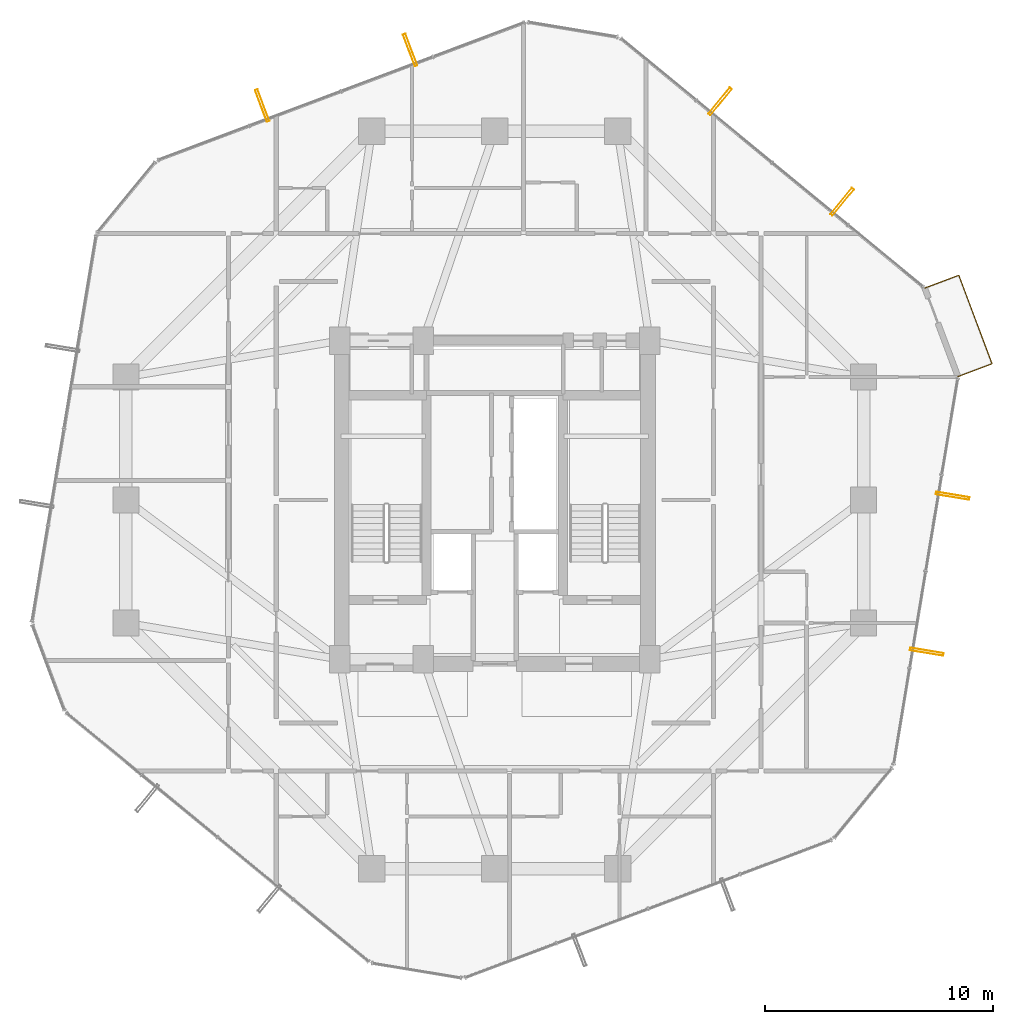
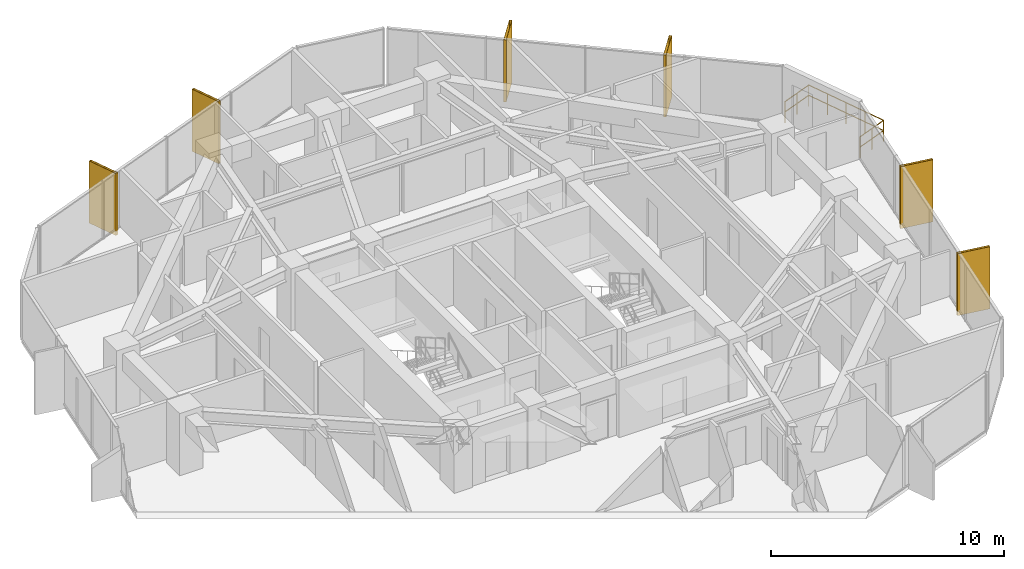
# One storey, part 30 of 30: 6 shading devices, 1 railing.
"""IFC4 building model written with IfcOpenShell, lengths in metres."""

from ifc_helpers import new_model, si_unit, direction, frame, origin, origin_2d, place, context, subcontext, project, spatial, hollow_rectangle, circle, extrude, material, material_profile, profile_set, type_object, element, save


model = new_model("IFC4")

# Units and contexts
model_context = context("Model", 3, precision=1e-05, world=origin(), true_north=direction((0.0, 1.0)))
body_context = subcontext(model_context, "Body", "Model", "MODEL_VIEW")
ifc_project = project(units=[si_unit("LENGTHUNIT", "METRE"), si_unit("AREAUNIT", "SQUARE_METRE"), si_unit("VOLUMEUNIT", "CUBIC_METRE"), si_unit("PLANEANGLEUNIT", "RADIAN"), si_unit("MASSUNIT", "GRAM", prefix="KILO")], contexts=[model_context])

# Site, building, storey
site_placement = place(None, origin())
site = spatial("IfcSite", under=ifc_project, at=site_placement, CompositionType="ELEMENT")
building_placement = place(site_placement, origin())
building = spatial("IfcBuilding", under=site, at=building_placement, Name="Veraguas Prism Commons", CompositionType="ELEMENT")
storey_placement = place(building_placement, frame((0.0, 0.0, 95.949951171875)))
storey = spatial("IfcBuildingStorey", under=building, at=storey_placement, Name="L26", CompositionType="ELEMENT", Elevation=95.949951171875)

# Shading devices
ifc_material_1 = material(Name="Anodised aluminium EN AW-6063 T6", Category="aluminium")
ifc_material_profile = material_profile(ifc_material_1, hollow_rectangle(XDim=0.1201171875, YDim=1.489990234375, WallThickness=0.006103515625, at=origin_2d()), Name="FIN120X1490X6")
ifc_profile_set = profile_set([ifc_material_profile], Name="Anodised aluminium EN AW-6063 T6")
shading_device_type = type_object("IfcShadingDeviceType", Name="Deep Pale-Metal Vertical Solar Fin 120x1490", PredefinedType="USERDEFINED", material=ifc_profile_set)
for number, where, z_axis, x_axis, name in (
    (1, (39.259033203125, 37.097412109375, -0.22998046875), (0.0, 0.0, 1.0), (-0.772514180242, 0.634997512849, 0.0), "Vertical Pale-Metal Solar Fin L26-F1A"),
    (2, (33.896484375, 41.505615234375, -0.22998046875), (0.0, 0.0, 1.0), (-0.772514180242, 0.634997512849, 0.0), "Vertical Pale-Metal Solar Fin L26-F1B"),
    (3, (20.28662109375, 43.763427734375, -0.22998046875), (0.0, 0.0, 1.0), (-0.93618290812, -0.351513246611, 0.0), "Vertical Pale-Metal Solar Fin L26-F2A"),
    (4, (13.7880859375, 41.3232421875, -0.22998046875), (0.0, 0.0, 1.0), (-0.93618290812, -0.351513246611, 0.0), "Vertical Pale-Metal Solar Fin L26-F2B"),
    (5, (42.972412109375, 17.333984375, -0.22998046875), (0.0, 0.0, 1.0), (0.163670330935, 0.986515089987, 0.0), "Vertical Pale-Metal Solar Fin L26-F6A"),
    (6, (44.1083984375, 24.18212890625, -0.22998046875), (0.0, 0.0, 1.0), (0.163670330935, 0.986515089987, 0.0), "Vertical Pale-Metal Solar Fin L26-F6B"),
):
    element("IfcShadingDevice", number, at=place(storey_placement, frame(where, z_axis=z_axis, x_axis=x_axis)), inside=storey, type_object=shading_device_type, Name=name, ObjectType="FIN", PredefinedType="USERDEFINED", context=body_context, shape_type="SweptSolid", body=[
        extrude(hollow_rectangle(XDim=0.1201171875, YDim=1.489990234375, WallThickness=0.006103515625, at=origin_2d()), origin(), (0.0, 0.0, 1.0), 3.25),
    ])

# Railing
ifc_material_2 = material(Name="Stainless steel AISI 316", Category="steel")
railing_type = type_object("IfcRailingType", Name="Loggia and Sky Pool Glazed Balustrade 1120", PredefinedType="BALUSTRADE", material=ifc_material_2)
railing_placement = place(storey_placement, frame((44.343994140625, 29.420654296875, 0.0)))
element("IfcRailing", 7, at=railing_placement, inside=storey, type_object=railing_type, Name="Recessed Corner Loggia L26-C1 Guard", PredefinedType="BALUSTRADE", context=body_context, shape_type="SweptSolid", body=[
    extrude(circle(Radius=0.02392578125, at=origin_2d()), frame((0.0, 0.0, 1.09619140625), z_axis=(0.936209969089, 0.351441166881, 0.0), x_axis=(-0.351441166881, 0.936209969089, 0.0)), (0.0, 0.0, 1.0), 1.599853515625),
    extrude(circle(Radius=0.02392578125, at=origin_2d()), frame((0.0, 0.0, 0.56005859375), z_axis=(0.936209969089, 0.351441166881, 0.0), x_axis=(-0.351441166881, 0.936209969089, 0.0)), (0.0, 0.0, 1.0), 1.599853515625),
    extrude(circle(Radius=0.02392578125, at=origin_2d()), frame((1.497802734375, 0.562255859375, 1.09619140625), z_axis=(-0.351471291531, 0.93619866013, 0.0), x_axis=(-0.93619866013, -0.351471291531, 0.0)), (0.0, 0.0, 1.0), 4.153076171875),
    extrude(circle(Radius=0.02392578125, at=origin_2d()), frame((1.497802734375, 0.562255859375, 0.56005859375), z_axis=(-0.351471291531, 0.93619866013, 0.0), x_axis=(-0.93619866013, -0.351471291531, 0.0)), (0.0, 0.0, 1.0), 4.153076171875),
    extrude(circle(Radius=0.02392578125, at=origin_2d()), frame((0.0380859375, 4.450439453125, 1.09619140625), z_axis=(-0.936178610118, -0.351524693239, 0.0), x_axis=(0.351524693239, -0.936178610118, 0.0)), (0.0, 0.0, 1.0), 1.60009765625),
    extrude(circle(Radius=0.02392578125, at=origin_2d()), frame((0.0380859375, 4.450439453125, 0.56005859375), z_axis=(-0.936178610118, -0.351524693239, 0.0), x_axis=(0.351524693239, -0.936178610118, 0.0)), (0.0, 0.0, 1.0), 1.60009765625),
    extrude(circle(Radius=0.02099609375, at=origin_2d()), origin(), (0.0, 0.0, 1.0), 1.072021484375),
    extrude(circle(Radius=0.02099609375, at=origin_2d()), frame((0.7490234375, 0.28125, 0.0)), (0.0, 0.0, 1.0), 1.072021484375),
    extrude(circle(Radius=0.02099609375, at=origin_2d()), frame((1.497802734375, 0.562255859375, 0.0)), (0.0, 0.0, 1.0), 1.072021484375),
    extrude(circle(Radius=0.02099609375, at=origin_2d()), frame((1.1328125, 1.5341796875, 0.0)), (0.0, 0.0, 1.0), 1.072021484375),
    extrude(circle(Radius=0.02099609375, at=origin_2d()), frame((0.76806640625, 2.50634765625, 0.0)), (0.0, 0.0, 1.0), 1.072021484375),
    extrude(circle(Radius=0.02099609375, at=origin_2d()), frame((0.403076171875, 3.478515625, 0.0)), (0.0, 0.0, 1.0), 1.072021484375),
    extrude(circle(Radius=0.02099609375, at=origin_2d()), frame((0.0380859375, 4.450439453125, 0.0)), (0.0, 0.0, 1.0), 1.072021484375),
    extrude(circle(Radius=0.02099609375, at=origin_2d()), frame((-0.7109375, 4.169189453125, 0.0)), (0.0, 0.0, 1.0), 1.072021484375),
    extrude(circle(Radius=0.02099609375, at=origin_2d()), frame((-1.4599609375, 3.887939453125, 0.0)), (0.0, 0.0, 1.0), 1.072021484375),
])

save(model, "model.ifc")
